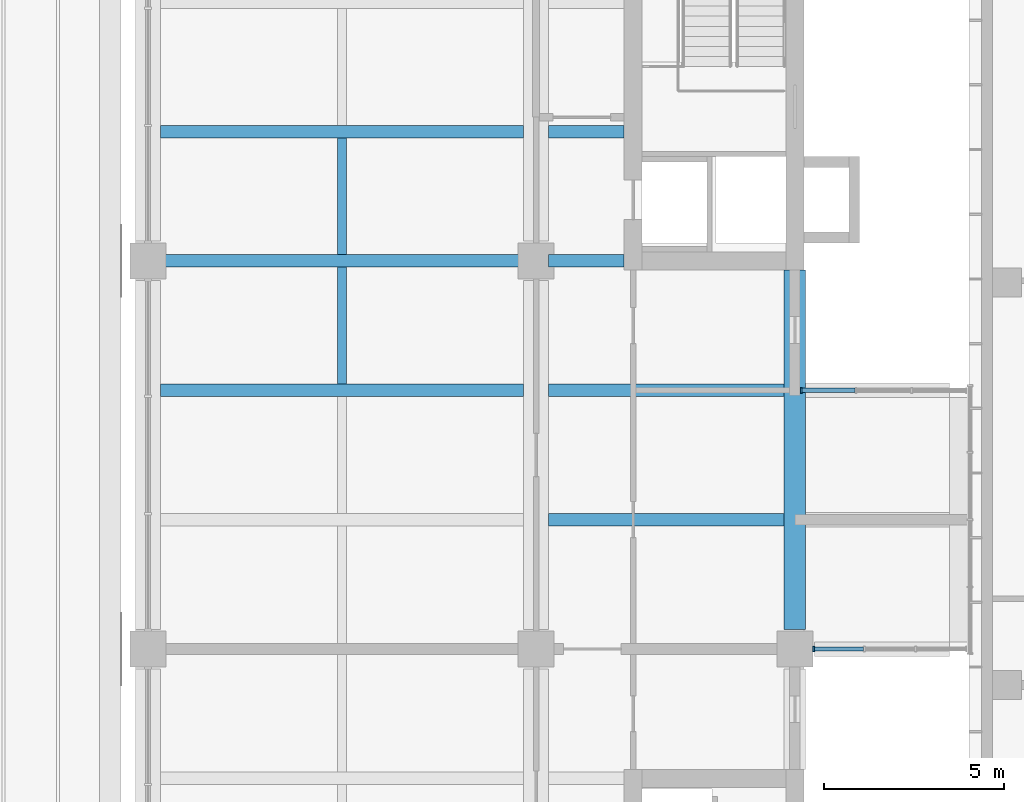
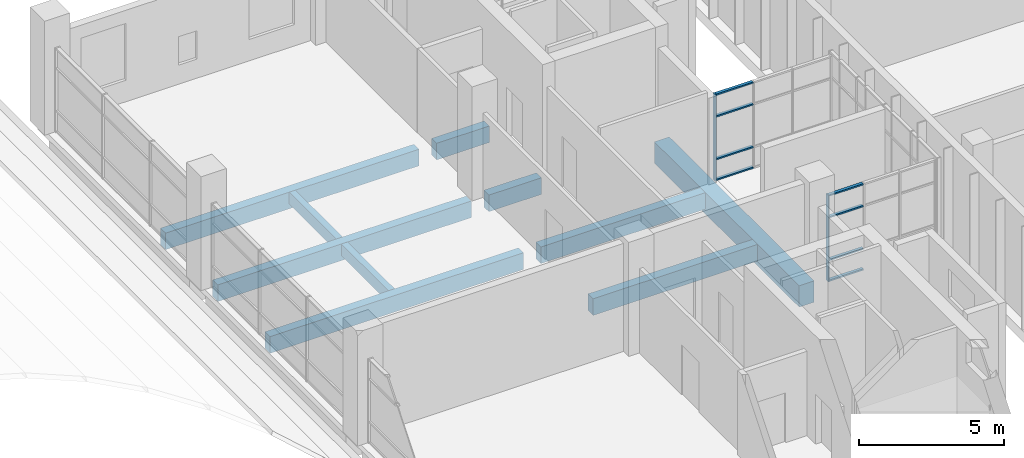
# One storey, part 15 of 45: 10 beams, 10 members, 2 elements without a shape of their own.
"""IFC4 building model written with IfcOpenShell, lengths in metres."""

from ifc_helpers import new_model, si_unit, direction, frame, origin, origin_2d, place, context, subcontext, project, spatial, rectangle, extrude, material, layer, layer_set, material_profile, profile_set, type_object, element, aggregate, save


model = new_model("IFC4")

# Units and contexts
model_context = context("Model", 3, precision=1e-05, world=origin(), true_north=direction((0.0, 1.0)))
body_context = subcontext(model_context, "Body", "Model", "MODEL_VIEW")
ifc_project = project(units=[si_unit("LENGTHUNIT", "METRE"), si_unit("AREAUNIT", "SQUARE_METRE"), si_unit("VOLUMEUNIT", "CUBIC_METRE"), si_unit("PLANEANGLEUNIT", "RADIAN"), si_unit("MASSUNIT", "GRAM", prefix="KILO")], contexts=[model_context])

# Site, building, storey
site_placement = place(None, origin())
site = spatial("IfcSite", under=ifc_project, at=site_placement, CompositionType="ELEMENT")
building_placement = place(site_placement, origin())
building = spatial("IfcBuilding", under=site, at=building_placement, Name="Basin Gate Institute", CompositionType="ELEMENT")
storey_placement = place(building_placement, frame((0.0, 0.0, 22.199951171875)))
storey = spatial("IfcBuildingStorey", under=building, at=storey_placement, Name="L04", CompositionType="ELEMENT", Elevation=22.199951171875)

# Beams
ifc_material_1 = material(Name="Concrete 40 MPa", Category="concrete")
ifc_material_profile_1 = material_profile(ifc_material_1, rectangle(XDim=0.35009765625, YDim=0.699951171875, at=origin_2d()), Name="Beam B1 350 x 700")
ifc_profile_set_1 = profile_set([ifc_material_profile_1], Name="Concrete 40 MPa")
beam_type_1 = type_object("IfcBeamType", Name="Beam B1 R120", PredefinedType="BEAM", material=ifc_profile_set_1)
beam_1_placement = place(storey_placement, frame((118.5, 81.89990234375, -0.599853515625), z_axis=(-1.0, 0.0, 0.0), x_axis=(0.0, -1.0, 0.0)))
element("IfcBeam", 1, at=beam_1_placement, inside=storey, type_object=beam_type_1, material=ifc_profile_set_1, Name="BEAM/L04/E/OUT/14", PredefinedType="BEAM", context=body_context, shape_type="SweptSolid", body=[
    extrude(rectangle(XDim=0.35009765625, YDim=0.699951171875, at=origin_2d()), origin(), (0.0, 0.0, 1.0), 6.550048828125),
])
beam_2_placement = place(storey_placement, frame((111.25, 85.5, -0.599853515625), z_axis=(-1.0, 0.0, 0.0), x_axis=(0.0, -1.0, 0.0)))
element("IfcBeam", 2, at=beam_2_placement, inside=storey, type_object=beam_type_1, material=ifc_profile_set_1, Name="BEAM/L04/E/EW/15", PredefinedType="BEAM", context=body_context, shape_type="SweptSolid", body=[
    extrude(rectangle(XDim=0.35009765625, YDim=0.699951171875, at=origin_2d()), origin(), (0.0, 0.0, 1.0), 10.10009765625),
])
beam_3_placement = place(storey_placement, frame((118.5, 85.5, -0.599853515625), z_axis=(-1.0, 0.0, 0.0), x_axis=(0.0, -1.0, 0.0)))
element("IfcBeam", 3, at=beam_3_placement, inside=storey, type_object=beam_type_1, material=ifc_profile_set_1, Name="BEAM/L04/E/OUT/15", PredefinedType="BEAM", context=body_context, shape_type="SweptSolid", body=[
    extrude(rectangle(XDim=0.35009765625, YDim=0.699951171875, at=origin_2d()), origin(), (0.0, 0.0, 1.0), 6.550048828125),
])
beam_4_placement = place(storey_placement, frame((111.25, 89.10009765625, -0.599853515625), z_axis=(-1.0, 0.0, 0.0), x_axis=(0.0, -1.0, 0.0)))
element("IfcBeam", 4, at=beam_4_placement, inside=storey, type_object=beam_type_1, material=ifc_profile_set_1, Name="BEAM/L04/E/EW/16", PredefinedType="BEAM", context=body_context, shape_type="SweptSolid", body=[
    extrude(rectangle(XDim=0.35009765625, YDim=0.699951171875, at=origin_2d()), origin(), (0.0, 0.0, 1.0), 10.10009765625),
])
beam_5_placement = place(storey_placement, frame((114.050048828125, 89.10009765625, -0.599853515625), z_axis=(-1.0, 0.0, 0.0), x_axis=(0.0, -1.0, 0.0)))
element("IfcBeam", 5, at=beam_5_placement, inside=storey, type_object=beam_type_1, material=ifc_profile_set_1, Name="BEAM/L04/E/CORR/16", PredefinedType="BEAM", context=body_context, shape_type="SweptSolid", body=[
    extrude(rectangle(XDim=0.35009765625, YDim=0.699951171875, at=origin_2d()), origin(), (0.0, 0.0, 1.0), 2.10009765625),
])
beam_6_placement = place(storey_placement, frame((111.25, 92.699951171875, -0.599853515625), z_axis=(-1.0, 0.0, 0.0), x_axis=(0.0, -1.0, 0.0)))
element("IfcBeam", 6, at=beam_6_placement, inside=storey, type_object=beam_type_1, material=ifc_profile_set_1, Name="BEAM/L04/E/EW/17", PredefinedType="BEAM", context=body_context, shape_type="SweptSolid", body=[
    extrude(rectangle(XDim=0.35009765625, YDim=0.699951171875, at=origin_2d()), origin(), (0.0, 0.0, 1.0), 10.10009765625),
])
beam_7_placement = place(storey_placement, frame((114.050048828125, 92.699951171875, -0.599853515625), z_axis=(-1.0, 0.0, 0.0), x_axis=(0.0, -1.0, 0.0)))
element("IfcBeam", 7, at=beam_7_placement, inside=storey, type_object=beam_type_1, material=ifc_profile_set_1, Name="BEAM/L04/E/CORR/17", PredefinedType="BEAM", context=body_context, shape_type="SweptSolid", body=[
    extrude(rectangle(XDim=0.35009765625, YDim=0.699951171875, at=origin_2d()), origin(), (0.0, 0.0, 1.0), 2.10009765625),
])
ifc_material_2 = material(Name="Concrete 50 MPa", Category="concrete")
ifc_material_profile_2 = material_profile(ifc_material_2, rectangle(XDim=0.60009765625, YDim=0.89990234375, at=origin_2d()), Name="Edge beam EB1 600 x 900")
ifc_profile_set_2 = profile_set([ifc_material_profile_2], Name="Concrete 50 MPa")
beam_type_2 = type_object("IfcBeamType", Name="Edge beam EB1 R120", PredefinedType="SPANDREL", material=ifc_profile_set_2)
beam_8_placement = place(storey_placement, frame((118.800048828125, 78.85009765625, -0.699951171875), z_axis=(0.0, 1.0, 0.0), x_axis=(-1.0, 0.0, 0.0)))
element("IfcBeam", 8, at=beam_8_placement, inside=storey, type_object=beam_type_2, material=ifc_profile_set_2, Name="BEAM/L04/E/EDGE/4", PredefinedType="SPANDREL", context=body_context, shape_type="SweptSolid", body=[
    extrude(rectangle(XDim=0.60009765625, YDim=0.89990234375, at=origin_2d()), origin(), (0.0, 0.0, 1.0), 10.0),
])

# Curtain wall, member
ifc_material_3 = material(Name="Aluminium-framed glazing", Category="aluminium")
ifc_layer = layer(ifc_material_3, 0.14990234375)
ifc_layer_set = layer_set([ifc_layer], Name="Capsule front curtain wall CW1")
curtain_wall_type = type_object("IfcCurtainWallType", Name="Capsule front curtain wall CW1", PredefinedType="NOTDEFINED", material=ifc_layer_set)
curtain_wall_1_placement = place(storey_placement, origin())
curtain_wall_1 = element("IfcCurtainWall", 9, at=curtain_wall_1_placement, inside=storey, type_object=curtain_wall_type, material=ifc_layer_set, Name="Capsule front curtain wall E wing capsule end L04 line 13", PredefinedType="NOTDEFINED")
ifc_material_4 = material(Name="Aluminium", Category="aluminium")
ifc_material_profile_3 = material_profile(ifc_material_4, rectangle(XDim=0.14990234375, YDim=0.050048828125, at=origin_2d()), Name="Mullion MU1 150 x 50")
ifc_profile_set_3 = profile_set([ifc_material_profile_3], Name="Aluminium")
member_type_1 = type_object("IfcMemberType", Name="Mullion MU1", PredefinedType="MULLION", material=ifc_profile_set_3)
member_1_placement = place(storey_placement, frame((119.324951171875, 78.300048828125, 0.0), z_axis=(0.0, 0.0, 1.0), x_axis=(0.0, -1.0, 0.0)))
member_1 = element("IfcMember", 10, at=member_1_placement, type_object=member_type_1, material=ifc_profile_set_3, Name="CW1 mullion 4", PredefinedType="MULLION", context=body_context, shape_type="SweptSolid", body=[
    extrude(rectangle(XDim=0.14990234375, YDim=0.050048828125, at=origin_2d()), origin(), (0.0, 0.0, 1.0), 3.650146484375),
])

curtain_wall_2_placement = place(storey_placement, origin())
curtain_wall_2 = element("IfcCurtainWall", 11, at=curtain_wall_2_placement, inside=storey, type_object=curtain_wall_type, material=ifc_layer_set, Name="Capsule front curtain wall E wing capsule end L04 line 15", PredefinedType="NOTDEFINED")
member_2_placement = place(storey_placement, frame((118.97509765625, 85.5, 0.0), z_axis=(0.0, 0.0, 1.0), x_axis=(0.0, -1.0, 0.0)))
member_2 = element("IfcMember", 12, at=member_2_placement, type_object=member_type_1, material=ifc_profile_set_3, Name="CW1 mullion 4", PredefinedType="MULLION", context=body_context, shape_type="SweptSolid", body=[
    extrude(rectangle(XDim=0.14990234375, YDim=0.050048828125, at=origin_2d()), origin(), (0.0, 0.0, 1.0), 3.650146484375),
])

# Beams
ifc_material_5 = material(Name="Concrete 40 MPa", Category="concrete")
ifc_material_profile_4 = material_profile(ifc_material_5, rectangle(XDim=0.25, YDim=0.5, at=origin_2d()), Name="Rib R1 250 x 500")
ifc_profile_set_4 = profile_set([ifc_material_profile_4], Name="Concrete 40 MPa")
beam_type_3 = type_object("IfcBeamType", Name="Rib R1 R120", PredefinedType="JOIST", material=ifc_profile_set_4)
for number, where, z_axis, x_axis, name in (
    (13, (106.199951171875, 85.675048828125, -0.5), (0.0, 1.0, 0.0), (-1.0, 0.0, 0.0), "BEAM/L04/E/RIB/15"),
    (14, (106.199951171875, 89.27490234375, -0.5), (0.0, 1.0, 0.0), (-1.0, 0.0, 0.0), "BEAM/L04/E/RIB/16"),
):
    element("IfcBeam", number, at=place(storey_placement, frame(where, z_axis=z_axis, x_axis=x_axis)), inside=storey, type_object=beam_type_3, material=ifc_profile_set_4, Name=name, PredefinedType="JOIST", context=body_context, shape_type="SweptSolid", body=[
        extrude(rectangle(XDim=0.25, YDim=0.5, at=origin_2d()), origin(), (0.0, 0.0, 1.0), 3.25),
    ])

# Member
ifc_material_6 = material(Name="Aluminium", Category="aluminium")
ifc_material_profile_5 = material_profile(ifc_material_6, rectangle(XDim=0.1201171875, YDim=0.06005859375, at=origin_2d()), Name="Transom TR1 120 x 60")
ifc_profile_set_5 = profile_set([ifc_material_profile_5], Name="Aluminium")
member_type_2 = type_object("IfcMemberType", Name="Transom TR1", PredefinedType="USERDEFINED", material=ifc_profile_set_5)
member_3_placement = place(storey_placement, frame((120.708251953125, 78.300048828125, 0.030029296875), z_axis=(-1.0, 0.0, 0.0), x_axis=(0.0, -1.0, 0.0)))
member_3 = element("IfcMember", 15, at=member_3_placement, type_object=member_type_2, material=ifc_profile_set_5, Name="CW1 transom 3.1", ObjectType="TRANSOM", PredefinedType="USERDEFINED", context=body_context, shape_type="SweptSolid", body=[
    extrude(rectangle(XDim=0.1201171875, YDim=0.06005859375, at=origin_2d()), origin(), (0.0, 0.0, 1.0), 1.358154296875),
])

member_4_placement = place(storey_placement, frame((120.708251953125, 78.300048828125, 0.900146484375), z_axis=(-1.0, 0.0, 0.0), x_axis=(0.0, -1.0, 0.0)))
member_4 = element("IfcMember", 16, at=member_4_placement, type_object=member_type_2, material=ifc_profile_set_5, Name="CW1 transom 3.2", ObjectType="TRANSOM", PredefinedType="USERDEFINED", context=body_context, shape_type="SweptSolid", body=[
    extrude(rectangle(XDim=0.1201171875, YDim=0.06005859375, at=origin_2d()), origin(), (0.0, 0.0, 1.0), 1.358154296875),
])

member_5_placement = place(storey_placement, frame((120.708251953125, 78.300048828125, 2.699951171875), z_axis=(-1.0, 0.0, 0.0), x_axis=(0.0, -1.0, 0.0)))
member_5 = element("IfcMember", 17, at=member_5_placement, type_object=member_type_2, material=ifc_profile_set_5, Name="CW1 transom 3.3", ObjectType="TRANSOM", PredefinedType="USERDEFINED", context=body_context, shape_type="SweptSolid", body=[
    extrude(rectangle(XDim=0.1201171875, YDim=0.06005859375, at=origin_2d()), origin(), (0.0, 0.0, 1.0), 1.358154296875),
])

member_6_placement = place(storey_placement, frame((120.708251953125, 78.300048828125, 3.6201171875), z_axis=(-1.0, 0.0, 0.0), x_axis=(0.0, -1.0, 0.0)))
member_6 = element("IfcMember", 18, at=member_6_placement, type_object=member_type_2, material=ifc_profile_set_5, Name="CW1 transom 3.4", ObjectType="TRANSOM", PredefinedType="USERDEFINED", context=body_context, shape_type="SweptSolid", body=[
    extrude(rectangle(XDim=0.1201171875, YDim=0.06005859375, at=origin_2d()), origin(), (0.0, 0.0, 1.0), 1.358154296875),
])

aggregate(curtain_wall_1, [member_1, member_3, member_4, member_5, member_6])

member_7_placement = place(storey_placement, frame((120.47509765625, 85.5, 0.030029296875), z_axis=(-1.0, 0.0, 0.0), x_axis=(0.0, -1.0, 0.0)))
member_7 = element("IfcMember", 19, at=member_7_placement, type_object=member_type_2, material=ifc_profile_set_5, Name="CW1 transom 3.1", ObjectType="TRANSOM", PredefinedType="USERDEFINED", context=body_context, shape_type="SweptSolid", body=[
    extrude(rectangle(XDim=0.1201171875, YDim=0.06005859375, at=origin_2d()), origin(), (0.0, 0.0, 1.0), 1.47509765625),
])

member_8_placement = place(storey_placement, frame((120.47509765625, 85.5, 0.900146484375), z_axis=(-1.0, 0.0, 0.0), x_axis=(0.0, -1.0, 0.0)))
member_8 = element("IfcMember", 20, at=member_8_placement, type_object=member_type_2, material=ifc_profile_set_5, Name="CW1 transom 3.2", ObjectType="TRANSOM", PredefinedType="USERDEFINED", context=body_context, shape_type="SweptSolid", body=[
    extrude(rectangle(XDim=0.1201171875, YDim=0.06005859375, at=origin_2d()), origin(), (0.0, 0.0, 1.0), 1.47509765625),
])

member_9_placement = place(storey_placement, frame((120.47509765625, 85.5, 2.699951171875), z_axis=(-1.0, 0.0, 0.0), x_axis=(0.0, -1.0, 0.0)))
member_9 = element("IfcMember", 21, at=member_9_placement, type_object=member_type_2, material=ifc_profile_set_5, Name="CW1 transom 3.3", ObjectType="TRANSOM", PredefinedType="USERDEFINED", context=body_context, shape_type="SweptSolid", body=[
    extrude(rectangle(XDim=0.1201171875, YDim=0.06005859375, at=origin_2d()), origin(), (0.0, 0.0, 1.0), 1.47509765625),
])

member_10_placement = place(storey_placement, frame((120.47509765625, 85.5, 3.6201171875), z_axis=(-1.0, 0.0, 0.0), x_axis=(0.0, -1.0, 0.0)))
member_10 = element("IfcMember", 22, at=member_10_placement, type_object=member_type_2, material=ifc_profile_set_5, Name="CW1 transom 3.4", ObjectType="TRANSOM", PredefinedType="USERDEFINED", context=body_context, shape_type="SweptSolid", body=[
    extrude(rectangle(XDim=0.1201171875, YDim=0.06005859375, at=origin_2d()), origin(), (0.0, 0.0, 1.0), 1.47509765625),
])

aggregate(curtain_wall_2, [member_2, member_7, member_8, member_9, member_10])

save(model, "model.ifc")
